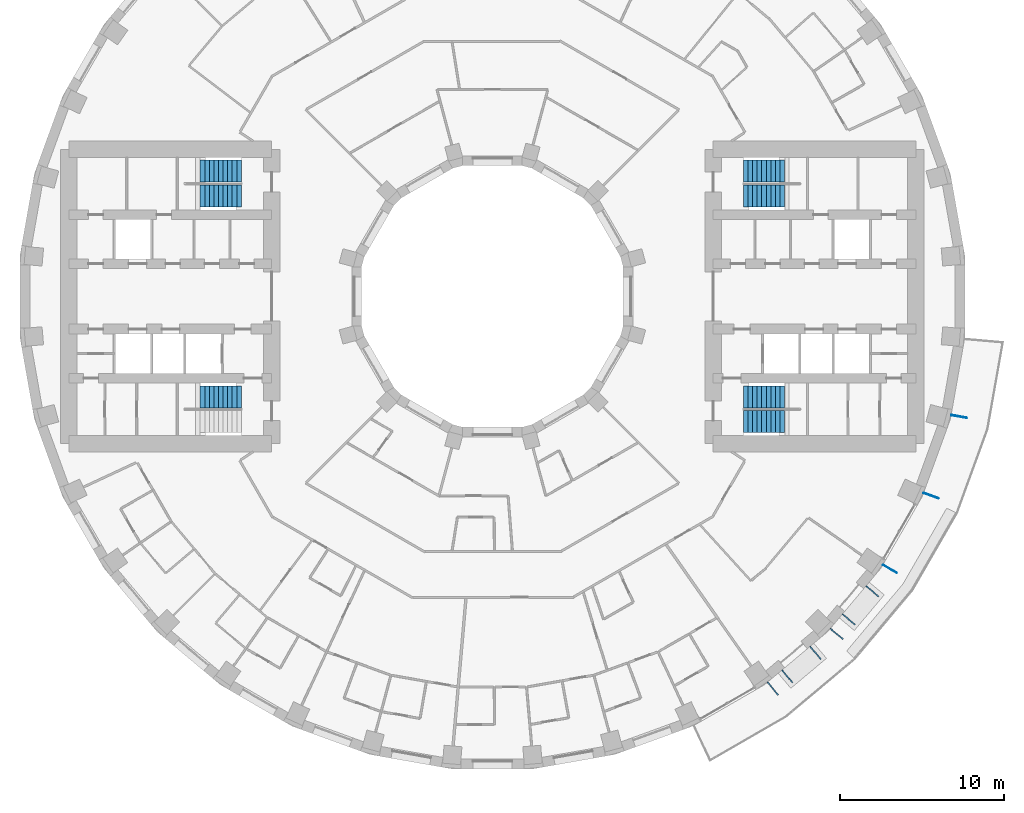
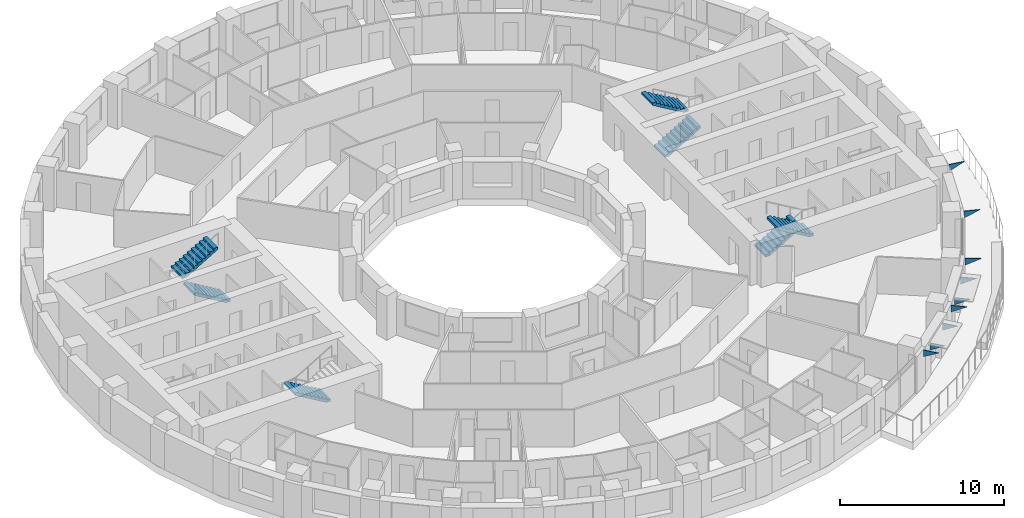
# One storey, part 14 of 15: 9 discrete accessories, 7 stair flights, 4 elements without a shape of their own.
"""IFC4 building model written with IfcOpenShell, lengths in metres."""

from ifc_helpers import new_model, si_unit, direction, frame, origin, place, context, subcontext, project, spatial, polyline, outline, extrude, material, layer, layer_set, type_object, element, aggregate, save


model = new_model("IFC4")

# Units and contexts
model_context = context("Model", 3, precision=1e-05, world=origin(), true_north=direction((0.0, 1.0)))
body_context = subcontext(model_context, "Body", "Model", "MODEL_VIEW")
ifc_project = project(units=[si_unit("LENGTHUNIT", "METRE"), si_unit("AREAUNIT", "SQUARE_METRE"), si_unit("VOLUMEUNIT", "CUBIC_METRE"), si_unit("PLANEANGLEUNIT", "RADIAN"), si_unit("MASSUNIT", "GRAM", prefix="KILO")], contexts=[model_context])

# Site, building, storey
site_placement = place(None, origin())
site = spatial("IfcSite", under=ifc_project, at=site_placement, CompositionType="ELEMENT")
building_placement = place(site_placement, origin())
building = spatial("IfcBuilding", under=site, at=building_placement, Name="Saqina Gate Tower", CompositionType="ELEMENT")
storey_placement = place(building_placement, frame((0.0, 0.0, 39.5)))
storey = spatial("IfcBuildingStorey", under=building, at=storey_placement, Name="L10", CompositionType="ELEMENT", Elevation=39.5)

# Stair, stair flights
ifc_material_1 = material(Name="Concrete C40/50", Category="concrete")
stair_type = type_object("IfcStairType", Name="EXIT STAIR", PredefinedType="HALF_TURN_STAIR", material=ifc_material_1)
stair_1_placement = place(storey_placement, origin())
stair_1 = element("IfcStair", 1, at=stair_1_placement, inside=storey, type_object=stair_type, Name="EXIT STAIR 1", PredefinedType="HALF_TURN_STAIR")
ifc_material_2 = material(Name="Concrete C40/50", Category="concrete")
stair_flight_type = type_object("IfcStairFlightType", Name="EXIT STAIR FLIGHT", PredefinedType="STRAIGHT", material=ifc_material_2)
stair_flight_1_placement = place(storey_placement, frame((15.35009765625, 6.1416015625, 0.0), z_axis=(0.0, 0.0, 1.0), x_axis=(1.0, 0.0, 0.0)))
stair_flight_1 = element("IfcStairFlight", 2, at=stair_flight_1_placement, type_object=stair_flight_type, Name="EXIT STAIR 1 FLIGHT 1", NumberOfRisers=10, NumberOfTreads=9, PredefinedType="STRAIGHT", RiserHeight=0.165, TreadLength=0.28, context=body_context, shape_type="SweptSolid", body=[
    extrude(outline(polyline([(0.0, 0.0), (0.0, 0.1650390625), (0.280029296875, 0.1650390625), (0.280029296875, 0.330078125), (0.56005859375, 0.330078125), (0.56005859375, 0.4951171875), (0.840087890625, 0.4951171875), (0.840087890625, 0.659912109375), (1.1201171875, 0.659912109375), (1.1201171875, 0.824951171875), (1.39990234375, 0.824951171875), (1.39990234375, 0.989990234375), (1.679931640625, 0.989990234375), (1.679931640625, 1.155029296875), (1.9599609375, 1.155029296875), (1.9599609375, 1.320068359375), (2.239990234375, 1.320068359375), (2.239990234375, 1.485107421875), (2.52001953125, 1.485107421875), (2.52001953125, 1.64990234375), (2.52001953125, 1.31103515625), (0.295166015625, 0.0), (0.0, 0.0)])), frame((0.0, 0.675048828125, 0.0), z_axis=(0.0, -1.0, 0.0), x_axis=(1.0, 0.0, 0.0)), (0.0, 0.0, 1.0), 1.35009765625),
])
stair_flight_2_placement = place(storey_placement, frame((17.8701171875, 7.658447265625, 1.64990234375), z_axis=(0.0, 0.0, 1.0), x_axis=(-1.0, 0.0, 0.0)))
stair_flight_2 = element("IfcStairFlight", 3, at=stair_flight_2_placement, type_object=stair_flight_type, Name="EXIT STAIR 1 FLIGHT 2", NumberOfRisers=10, NumberOfTreads=9, PredefinedType="STRAIGHT", RiserHeight=0.165, TreadLength=0.28, context=body_context, shape_type="SweptSolid", body=[
    extrude(outline(polyline([(0.0, 0.0), (0.0, 0.1650390625), (0.280029296875, 0.1650390625), (0.280029296875, 0.330078125), (0.56005859375, 0.330078125), (0.56005859375, 0.4951171875), (0.840087890625, 0.4951171875), (0.840087890625, 0.659912109375), (1.1201171875, 0.659912109375), (1.1201171875, 0.824951171875), (1.39990234375, 0.824951171875), (1.39990234375, 0.989990234375), (1.679931640625, 0.989990234375), (1.679931640625, 1.155029296875), (1.9599609375, 1.155029296875), (1.9599609375, 1.320068359375), (2.239990234375, 1.320068359375), (2.239990234375, 1.485107421875), (2.52001953125, 1.485107421875), (2.52001953125, 1.64990234375), (2.52001953125, 1.31103515625), (0.295166015625, 0.0), (0.0, 0.0)])), frame((0.0, 0.675048828125, 0.0), z_axis=(0.0, -1.0, 0.0), x_axis=(1.0, 0.0, 0.0)), (0.0, 0.0, 1.0), 1.35009765625),
])
aggregate(stair_1, [stair_flight_1, stair_flight_2])

stair_2_placement = place(storey_placement, origin())
stair_2 = element("IfcStair", 4, at=stair_2_placement, inside=storey, type_object=stair_type, Name="EXIT STAIR 2", PredefinedType="HALF_TURN_STAIR")
stair_flight_3_placement = place(storey_placement, frame((15.35009765625, -6.1416015625, 0.0), z_axis=(0.0, 0.0, 1.0), x_axis=(1.0, 0.0, 0.0)))
stair_flight_3 = element("IfcStairFlight", 5, at=stair_flight_3_placement, type_object=stair_flight_type, Name="EXIT STAIR 2 FLIGHT 1", NumberOfRisers=10, NumberOfTreads=9, PredefinedType="STRAIGHT", RiserHeight=0.165, TreadLength=0.28, context=body_context, shape_type="SweptSolid", body=[
    extrude(outline(polyline([(0.0, 0.0), (0.0, 0.1650390625), (0.280029296875, 0.1650390625), (0.280029296875, 0.330078125), (0.56005859375, 0.330078125), (0.56005859375, 0.4951171875), (0.840087890625, 0.4951171875), (0.840087890625, 0.659912109375), (1.1201171875, 0.659912109375), (1.1201171875, 0.824951171875), (1.39990234375, 0.824951171875), (1.39990234375, 0.989990234375), (1.679931640625, 0.989990234375), (1.679931640625, 1.155029296875), (1.9599609375, 1.155029296875), (1.9599609375, 1.320068359375), (2.239990234375, 1.320068359375), (2.239990234375, 1.485107421875), (2.52001953125, 1.485107421875), (2.52001953125, 1.64990234375), (2.52001953125, 1.31103515625), (0.295166015625, 0.0), (0.0, 0.0)])), frame((0.0, 0.675048828125, 0.0), z_axis=(0.0, -1.0, 0.0), x_axis=(1.0, 0.0, 0.0)), (0.0, 0.0, 1.0), 1.35009765625),
])
stair_flight_4_placement = place(storey_placement, frame((17.8701171875, -7.658447265625, 1.64990234375), z_axis=(0.0, 0.0, 1.0), x_axis=(-1.0, 0.0, 0.0)))
stair_flight_4 = element("IfcStairFlight", 6, at=stair_flight_4_placement, type_object=stair_flight_type, Name="EXIT STAIR 2 FLIGHT 2", NumberOfRisers=10, NumberOfTreads=9, PredefinedType="STRAIGHT", RiserHeight=0.165, TreadLength=0.28, context=body_context, shape_type="SweptSolid", body=[
    extrude(outline(polyline([(0.0, 0.0), (0.0, 0.1650390625), (0.280029296875, 0.1650390625), (0.280029296875, 0.330078125), (0.56005859375, 0.330078125), (0.56005859375, 0.4951171875), (0.840087890625, 0.4951171875), (0.840087890625, 0.659912109375), (1.1201171875, 0.659912109375), (1.1201171875, 0.824951171875), (1.39990234375, 0.824951171875), (1.39990234375, 0.989990234375), (1.679931640625, 0.989990234375), (1.679931640625, 1.155029296875), (1.9599609375, 1.155029296875), (1.9599609375, 1.320068359375), (2.239990234375, 1.320068359375), (2.239990234375, 1.485107421875), (2.52001953125, 1.485107421875), (2.52001953125, 1.64990234375), (2.52001953125, 1.31103515625), (0.295166015625, 0.0), (0.0, 0.0)])), frame((0.0, 0.675048828125, 0.0), z_axis=(0.0, -1.0, 0.0), x_axis=(1.0, 0.0, 0.0)), (0.0, 0.0, 1.0), 1.35009765625),
])
aggregate(stair_2, [stair_flight_3, stair_flight_4])

stair_3_placement = place(storey_placement, origin())
stair_3 = element("IfcStair", 7, at=stair_3_placement, inside=storey, type_object=stair_type, Name="EXIT STAIR 3", PredefinedType="HALF_TURN_STAIR")
stair_flight_5_placement = place(storey_placement, frame((-15.35009765625, 6.1416015625, 0.0), z_axis=(0.0, 0.0, 1.0), x_axis=(-1.0, 0.0, 0.0)))
stair_flight_5 = element("IfcStairFlight", 8, at=stair_flight_5_placement, type_object=stair_flight_type, Name="EXIT STAIR 3 FLIGHT 1", NumberOfRisers=10, NumberOfTreads=9, PredefinedType="STRAIGHT", RiserHeight=0.165, TreadLength=0.28, context=body_context, shape_type="SweptSolid", body=[
    extrude(outline(polyline([(0.0, 0.0), (0.0, 0.1650390625), (0.280029296875, 0.1650390625), (0.280029296875, 0.330078125), (0.56005859375, 0.330078125), (0.56005859375, 0.4951171875), (0.840087890625, 0.4951171875), (0.840087890625, 0.659912109375), (1.1201171875, 0.659912109375), (1.1201171875, 0.824951171875), (1.39990234375, 0.824951171875), (1.39990234375, 0.989990234375), (1.679931640625, 0.989990234375), (1.679931640625, 1.155029296875), (1.9599609375, 1.155029296875), (1.9599609375, 1.320068359375), (2.239990234375, 1.320068359375), (2.239990234375, 1.485107421875), (2.52001953125, 1.485107421875), (2.52001953125, 1.64990234375), (2.52001953125, 1.31103515625), (0.295166015625, 0.0), (0.0, 0.0)])), frame((0.0, 0.675048828125, 0.0), z_axis=(0.0, -1.0, 0.0), x_axis=(1.0, 0.0, 0.0)), (0.0, 0.0, 1.0), 1.35009765625),
])
stair_flight_6_placement = place(storey_placement, frame((-17.8701171875, 7.658447265625, 1.64990234375), z_axis=(0.0, 0.0, 1.0), x_axis=(1.0, 0.0, 0.0)))
stair_flight_6 = element("IfcStairFlight", 9, at=stair_flight_6_placement, type_object=stair_flight_type, Name="EXIT STAIR 3 FLIGHT 2", NumberOfRisers=10, NumberOfTreads=9, PredefinedType="STRAIGHT", RiserHeight=0.165, TreadLength=0.28, context=body_context, shape_type="SweptSolid", body=[
    extrude(outline(polyline([(0.0, 0.0), (0.0, 0.1650390625), (0.280029296875, 0.1650390625), (0.280029296875, 0.330078125), (0.56005859375, 0.330078125), (0.56005859375, 0.4951171875), (0.840087890625, 0.4951171875), (0.840087890625, 0.659912109375), (1.1201171875, 0.659912109375), (1.1201171875, 0.824951171875), (1.39990234375, 0.824951171875), (1.39990234375, 0.989990234375), (1.679931640625, 0.989990234375), (1.679931640625, 1.155029296875), (1.9599609375, 1.155029296875), (1.9599609375, 1.320068359375), (2.239990234375, 1.320068359375), (2.239990234375, 1.485107421875), (2.52001953125, 1.485107421875), (2.52001953125, 1.64990234375), (2.52001953125, 1.31103515625), (0.295166015625, 0.0), (0.0, 0.0)])), frame((0.0, 0.675048828125, 0.0), z_axis=(0.0, -1.0, 0.0), x_axis=(1.0, 0.0, 0.0)), (0.0, 0.0, 1.0), 1.35009765625),
])
aggregate(stair_3, [stair_flight_5, stair_flight_6])

# Stair, stair flight
stair_4_placement = place(storey_placement, origin())
stair_4 = element("IfcStair", 10, at=stair_4_placement, inside=storey, type_object=stair_type, Name="EXIT STAIR 4", PredefinedType="HALF_TURN_STAIR")
stair_flight_7_placement = place(storey_placement, frame((-15.35009765625, -6.1416015625, 0.0), z_axis=(0.0, 0.0, 1.0), x_axis=(-1.0, 0.0, 0.0)))
stair_flight_7 = element("IfcStairFlight", 11, at=stair_flight_7_placement, type_object=stair_flight_type, Name="EXIT STAIR 4 FLIGHT 1", NumberOfRisers=10, NumberOfTreads=9, PredefinedType="STRAIGHT", RiserHeight=0.165, TreadLength=0.28, context=body_context, shape_type="SweptSolid", body=[
    extrude(outline(polyline([(0.0, 0.0), (0.0, 0.1650390625), (0.280029296875, 0.1650390625), (0.280029296875, 0.330078125), (0.56005859375, 0.330078125), (0.56005859375, 0.4951171875), (0.840087890625, 0.4951171875), (0.840087890625, 0.659912109375), (1.1201171875, 0.659912109375), (1.1201171875, 0.824951171875), (1.39990234375, 0.824951171875), (1.39990234375, 0.989990234375), (1.679931640625, 0.989990234375), (1.679931640625, 1.155029296875), (1.9599609375, 1.155029296875), (1.9599609375, 1.320068359375), (2.239990234375, 1.320068359375), (2.239990234375, 1.485107421875), (2.52001953125, 1.485107421875), (2.52001953125, 1.64990234375), (2.52001953125, 1.31103515625), (0.295166015625, 0.0), (0.0, 0.0)])), frame((0.0, 0.675048828125, 0.0), z_axis=(0.0, -1.0, 0.0), x_axis=(1.0, 0.0, 0.0)), (0.0, 0.0, 1.0), 1.35009765625),
])
aggregate(stair_4, [stair_flight_7])

# Discrete accessories
ifc_material_3 = material(Name="Galvanised steel", Category="steel")
ifc_layer_1 = layer(ifc_material_3, 0.050048828125)
ifc_layer_set_1 = layer_set([ifc_layer_1], Name="BR-AWNING")
discrete_accessory_type_1 = type_object("IfcDiscreteAccessoryType", Name="BR-AWNING", PredefinedType="BRACKET", material=ifc_layer_set_1)
for number, where, z_axis, x_axis, name in (
    (12, (17.728759765625, -22.83642578125, 1.97509765625), (0.766055819685, 0.64277405138, 0.0), (0.0, 0.0, 1.0), "Awning bracket L10 facet 31"),
    (13, (19.44921875, -21.392822265625, 1.97509765625), (0.766055819685, 0.64277405138, 0.0), (0.0, 0.0, 1.0), "Awning bracket L10 facet 31"),
    (14, (21.425048828125, -19.410888671875, 1.97509765625), (0.64277405138, 0.766055819685, 0.0), (0.0, 0.0, 1.0), "Awning bracket L10 facet 32"),
    (15, (22.86865234375, -17.6904296875, 1.97509765625), (0.64277405138, 0.766055819685, 0.0), (0.0, 0.0, 1.0), "Awning bracket L10 facet 32"),
):
    element("IfcDiscreteAccessory", number, at=place(storey_placement, frame(where, z_axis=z_axis, x_axis=x_axis)), inside=storey, type_object=discrete_accessory_type_1, Name=name, PredefinedType="BRACKET", context=body_context, shape_type="SweptSolid", body=[
        extrude(outline(polyline([(0.0, 0.0), (0.5498046875, 0.0), (0.5498046875, 1.0000750096322273), (0.0, 0.0)])), origin(), (0.0, 0.0, -1.0), 0.050048828125),
    ])
ifc_material_4 = material(Name="Galvanised steel", Category="steel")
ifc_layer_2 = layer(ifc_material_4, 0.050048828125)
ifc_layer_set_2 = layer_set([ifc_layer_2], Name="BR-GUSSET")
discrete_accessory_type_2 = type_object("IfcDiscreteAccessoryType", Name="BR-GUSSET", PredefinedType="BRACKET", material=ifc_layer_set_2)
for number, where, z_axis, x_axis, name in (
    (16, (16.844482421875, -23.57861328125, 2.25), (0.766055819685, 0.64277405138, 0.0), (0.0, 0.0, 1.0), "Terrace slab bracket L11 1"),
    (17, (20.682861328125, -20.29541015625, 2.25), (0.64277405138, 0.766055819685, 0.0), (0.0, 0.0, 1.0), "Terrace slab bracket L11 2"),
):
    element("IfcDiscreteAccessory", number, at=place(storey_placement, frame(where, z_axis=z_axis, x_axis=x_axis)), inside=storey, type_object=discrete_accessory_type_2, Name=name, PredefinedType="BRACKET", context=body_context, shape_type="SweptSolid", body=[
        extrude(outline(polyline([(0.0, 0.0), (0.5, 0.0), (0.5, 1.0000750096322275), (0.0, 0.0)])), origin(), (0.0, 0.0, -1.0), 0.050048828125),
    ])
discrete_accessory_1_placement = place(storey_placement, frame((23.892822265625, -16.3955078125, 2.25), z_axis=(0.50002537861, 0.866010750942, 0.0), x_axis=(0.0, 0.0, 1.0)))
element("IfcDiscreteAccessory", 18, at=discrete_accessory_1_placement, inside=storey, type_object=discrete_accessory_type_2, Name="Terrace slab bracket L11 3", PredefinedType="BRACKET", context=body_context, shape_type="SweptSolid", body=[
    extrude(outline(polyline([(0.0, 0.0), (0.5, 0.0), (0.5, 0.9999492453569568), (0.0, 0.0)])), origin(), (0.0, 0.0, -1.0), 0.050048828125),
])
discrete_accessory_2_placement = place(storey_placement, frame((26.376953125, -11.99755859375, 2.25), z_axis=(0.342037080957, 0.939686455819, 0.0), x_axis=(0.0, 0.0, 1.0)))
element("IfcDiscreteAccessory", 19, at=discrete_accessory_2_placement, inside=storey, type_object=discrete_accessory_type_2, Name="Terrace slab bracket L11 4", PredefinedType="BRACKET", context=body_context, shape_type="SweptSolid", body=[
    extrude(outline(polyline([(0.0, 0.0), (0.5, 0.0), (0.5, 1.000011503630275), (0.0, 0.0)])), origin(), (0.0, 0.0, -1.0), 0.050048828125),
])
discrete_accessory_3_placement = place(storey_placement, frame((28.0595703125, -7.23486328125, 2.25), z_axis=(0.173813186416, 0.984778643263, 0.0), x_axis=(0.0, 0.0, 1.0)))
element("IfcDiscreteAccessory", 20, at=discrete_accessory_3_placement, inside=storey, type_object=discrete_accessory_type_2, Name="Terrace slab bracket L11 5", PredefinedType="BRACKET", context=body_context, shape_type="SweptSolid", body=[
    extrude(outline(polyline([(0.0, 0.0), (0.5, 0.0), (0.5, 1.000085946204391), (0.0, 0.0)])), origin(), (0.0, 0.0, -1.0), 0.050048828125),
])

save(model, "model.ifc")
